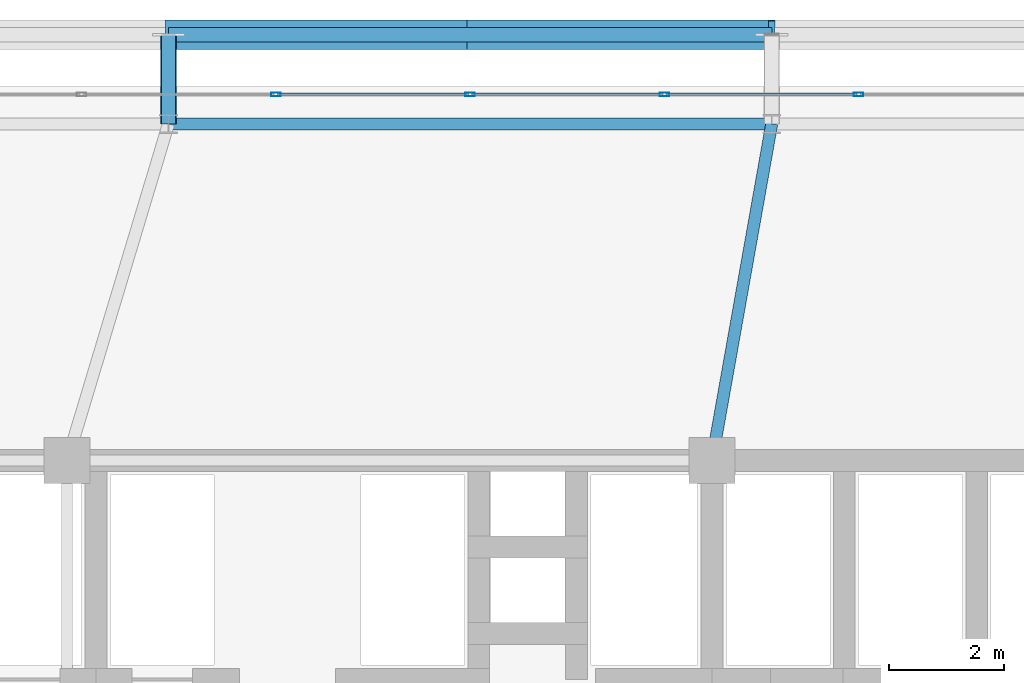
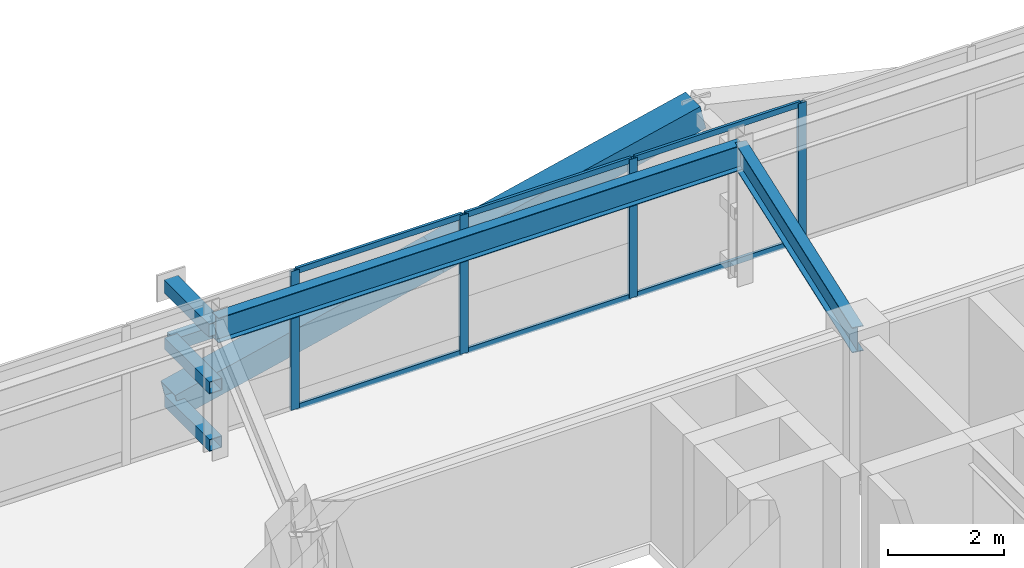
# One storey, part 37 of 58: 16 members, 2 beams, 1 element without a shape of its own.
"""IFC4 building model written with IfcOpenShell, lengths in metres."""

from ifc_helpers import new_model, si_unit, direction, frame, origin, origin_2d, place, context, subcontext, project, spatial, hollow_rectangle, i_section, extrude, source, transform, mapped, material, layer, layer_set, material_profile, profile_set, type_object, element, aggregate, save


model = new_model("IFC4")

# Units and contexts
model_context = context("Model", 3, precision=1e-05, world=origin(), true_north=direction((0.0, 1.0)))
body_context = subcontext(model_context, "Body", "Model", "MODEL_VIEW")
ifc_project = project(units=[si_unit("LENGTHUNIT", "METRE"), si_unit("AREAUNIT", "SQUARE_METRE"), si_unit("VOLUMEUNIT", "CUBIC_METRE"), si_unit("PLANEANGLEUNIT", "RADIAN"), si_unit("MASSUNIT", "GRAM", prefix="KILO")], contexts=[model_context])

# Site, building, storey
site_placement = place(None, origin())
site = spatial("IfcSite", under=ifc_project, at=site_placement, CompositionType="ELEMENT")
building_placement = place(site_placement, origin())
building = spatial("IfcBuilding", under=site, at=building_placement, Name="Taldren Reach Tower", CompositionType="ELEMENT")
storey_placement = place(building_placement, frame((0.0, 0.0, 35.699951171875)))
storey = spatial("IfcBuildingStorey", under=building, at=storey_placement, Name="L10", CompositionType="ELEMENT", Elevation=35.699951171875)

# Beams
ifc_material_1 = material(Name="Steel Gr 350 (350PLUS)", Category="steel")
ifc_material_profile_1 = material_profile(ifc_material_1, i_section(OverallWidth=0.208984375, OverallDepth=0.528076171875, WebThickness=0.009521484375, FlangeThickness=0.01318359375, at=origin_2d()), Name="530UB82.0")
ifc_profile_set_1 = profile_set([ifc_material_profile_1], Name="Steel Gr 350 (350PLUS)")
beam_type_1 = type_object("IfcBeamType", Name="SP-UB530B", PredefinedType="SPANDREL", material=ifc_profile_set_1)
shared_shape_1 = source(origin(), body_context, "Body", "SweptSolid", [
    extrude(i_section(OverallWidth=0.208984375, OverallDepth=0.528076171875, WebThickness=0.009521484375, FlangeThickness=0.01318359375, at=origin_2d()), origin(), (0.0, 0.0, 1.0), 10.47998046875),
])
beam_1_placement = place(storey_placement, frame((40.239990234375, 37.85009765625, 2.666015625), z_axis=(-1.0, 0.0, 0.0), x_axis=(0.0, -1.0, 0.0)))
element("IfcBeam", 1, at=beam_1_placement, inside=storey, type_object=beam_type_1, Name="Perimeter spandrel B1 N4-N3 L10", PredefinedType="SPANDREL", context=body_context, shape_type="MappedRepresentation", body=[
    mapped(shared_shape_1, transform((0.0, 0.0, 0.0), scale=1.0)),
])
ifc_material_profile_2 = material_profile(ifc_material_1, i_section(OverallWidth=0.208984375, OverallDepth=0.532958984375, WebThickness=0.01025390625, FlangeThickness=0.015625, at=origin_2d()), Name="530UB92.4")
ifc_profile_set_2 = profile_set([ifc_material_profile_2], Name="Steel Gr 350 (350PLUS)")
beam_type_2 = type_object("IfcBeamType", Name="BM-UB530A", PredefinedType="BEAM", material=ifc_profile_set_2)
shared_shape_2 = source(origin(), body_context, "Body", "SweptSolid", [
    extrude(i_section(OverallWidth=0.208984375, OverallDepth=0.532958984375, WebThickness=0.01025390625, FlangeThickness=0.015625, at=origin_2d()), origin(), (0.0, 0.0, 1.0), 5.94189453125),
])
beam_2_placement = place(storey_placement, frame((39.199951171875, 32.0, 2.66357421875), z_axis=(0.17503687513, 0.984561878373, 0.0), x_axis=(-0.984561878373, 0.17503687513, 0.0)))
element("IfcBeam", 2, at=beam_2_placement, inside=storey, type_object=beam_type_2, Name="Primary floor girder B1-N4 L10", PredefinedType="BEAM", context=body_context, shape_type="MappedRepresentation", body=[
    mapped(shared_shape_2, transform((0.0, 0.0, 0.0), scale=1.0)),
])

# Members
ifc_material_2 = material(Name="Steel Gr 450 (C450L0)", Category="steel")
ifc_material_profile_3 = material_profile(ifc_material_2, hollow_rectangle(XDim=0.27490234375, YDim=0.27490234375, WallThickness=0.00927734375, at=origin_2d()), Name="275x275x9.3SHS")
ifc_profile_set_3 = profile_set([ifc_material_profile_3], Name="Steel Gr 450 (C450L0)")
member_type_1 = type_object("IfcMemberType", Name="MB-TIE273", PredefinedType="STRUT", material=ifc_profile_set_3)
shared_shape_3 = source(origin(), body_context, "Body", "SweptSolid", [
    extrude(hollow_rectangle(XDim=0.27490234375, YDim=0.27490234375, WallThickness=0.00927734375, at=origin_2d()), origin(), (0.0, 0.0, 1.0), 1.5498046875),
])
member_1_placement = place(storey_placement, frame((29.760009765625, 37.85009765625, 2.650146484375), z_axis=(0.0, 1.0, 0.0), x_axis=(-1.0, 0.0, 0.0)))
element("IfcMember", 3, at=member_1_placement, inside=storey, type_object=member_type_1, Name="Exoskeleton diaphragm tie strut B1-N3 L10", PredefinedType="STRUT", context=body_context, shape_type="MappedRepresentation", body=[
    mapped(shared_shape_3, transform((0.0, 0.0, 0.0), scale=1.0)),
])
ifc_material_profile_4 = material_profile(ifc_material_2, hollow_rectangle(XDim=0.510009765625, YDim=0.510009765625, WallThickness=0.02001953125, at=origin_2d()), Name="510x510x20.0SHS")
ifc_profile_set_4 = profile_set([ifc_material_profile_4], Name="Steel Gr 450 (C450L0)")
member_type_2 = type_object("IfcMemberType", Name="MB-EXO508", PredefinedType="BRACE", material=ifc_profile_set_4)
shared_shape_4 = source(origin(), body_context, "Body", "SweptSolid", [
    extrude(hollow_rectangle(XDim=0.510009765625, YDim=0.510009765625, WallThickness=0.02001953125, at=origin_2d()), origin(), (0.0, 0.0, 1.0), 5.37890625),
])
for number, where, z_axis, x_axis, name in (
    (4, (29.760009765625, 39.39990234375, 0.219970703125), (0.97415197996, 0.0, 0.225893603143), (0.0, 1.0, 0.0), "Exoskeleton Diagrid Brace B1-N3 L10"),
    (5, (35.0, 39.39990234375, 1.43505859375), (0.97415197996, 0.0, 0.225893603143), (0.0, 1.0, 0.0), "Exoskeleton Diagrid Brace B1-N3 L10"),
):
    element("IfcMember", number, at=place(storey_placement, frame(where, z_axis=z_axis, x_axis=x_axis)), inside=storey, type_object=member_type_2, Name=name, PredefinedType="BRACE", context=body_context, shape_type="MappedRepresentation", body=[
        mapped(shared_shape_4, transform((0.0, 0.0, 0.0), scale=1.0)),
    ])
ifc_material_3 = material(Name="Steel Gr 350 (C350L0)", Category="steel")
ifc_material_profile_5 = material_profile(ifc_material_3, hollow_rectangle(XDim=0.25, YDim=0.25, WallThickness=0.010009765625, at=origin_2d()), Name="250x250x10.0SHS")
ifc_profile_set_5 = profile_set([ifc_material_profile_5], Name="Steel Gr 350 (C350L0)")
member_type_3 = type_object("IfcMemberType", Name="MB-POST250", PredefinedType="POST", material=ifc_profile_set_5)
shared_shape_5 = source(origin(), body_context, "Body", "SweptSolid", [
    extrude(hollow_rectangle(XDim=0.25, YDim=0.25, WallThickness=0.010009765625, at=origin_2d()), origin(), (0.0, 0.0, 1.0), 10.47998046875),
])
member_2_placement = place(storey_placement, frame((29.760009765625, 39.39990234375, 1.43505859375), z_axis=(1.0, 0.0, 0.0), x_axis=(0.0, 1.0, 0.0)))
element("IfcMember", 6, at=member_2_placement, inside=storey, type_object=member_type_3, Name="Exoskeleton mid-height ring chord B1-N3 L10", PredefinedType="POST", context=body_context, shape_type="MappedRepresentation", body=[
    mapped(shared_shape_5, transform((0.0, 0.0, 0.0), scale=1.0)),
])
shared_shape_6 = source(origin(), body_context, "Body", "SweptSolid", [
    extrude(hollow_rectangle(XDim=0.25, YDim=0.25, WallThickness=0.010009765625, at=origin_2d()), origin(), (0.0, 0.0, 1.0), 1.5498046875),
])
for number, where, z_axis, x_axis, name in (
    (7, (29.760009765625, 37.85009765625, 0.219970703125), (0.0, 1.0, 0.0), (-1.0, 0.0, 0.0), "Exoskeleton base diaphragm tie strut B1-N3 L10"),
    (8, (29.760009765625, 37.85009765625, 1.43505859375), (0.0, 1.0, 0.0), (-1.0, 0.0, 0.0), "Exoskeleton mid-tier diaphragm tie B1-N3 L10"),
):
    element("IfcMember", number, at=place(storey_placement, frame(where, z_axis=z_axis, x_axis=x_axis)), inside=storey, type_object=member_type_3, Name=name, PredefinedType="POST", context=body_context, shape_type="MappedRepresentation", body=[
        mapped(shared_shape_6, transform((0.0, 0.0, 0.0), scale=1.0)),
    ])

# Curtain wall, members
ifc_material_4 = material(Name="Aluminium and Low-E Glass Unitised System", Category="aluminium")
ifc_layer = layer(ifc_material_4, 0.159912109375)
ifc_layer_set = layer_set([ifc_layer], Name="Aluminium and Low-E Glass Unitised System")
curtain_wall_type = type_object("IfcCurtainWallType", Name="CW-SYS-2", PredefinedType="NOTDEFINED", material=ifc_layer_set)
curtain_wall_placement = place(storey_placement, origin())
curtain_wall = element("IfcCurtainWall", 9, at=curtain_wall_placement, inside=storey, type_object=curtain_wall_type, Name="Unitised curtain wall CW-L10-N", PredefinedType="NOTDEFINED")
ifc_material_5 = material(Name="Anodised Aluminium 6063-T6", Category="aluminium")
ifc_material_profile_6 = material_profile(ifc_material_5, hollow_rectangle(XDim=0.06494140625, YDim=0.1650390625, WallThickness=0.00390625, at=origin_2d()), Name="ALU-165x65x4RHS")
ifc_profile_set_6 = profile_set([ifc_material_profile_6], Name="Anodised Aluminium 6063-T6")
member_type_4 = type_object("IfcMemberType", Name="CW-MUL-165", PredefinedType="MULLION", material=ifc_profile_set_6)
shared_shape_7 = source(origin(), body_context, "Body", "SweptSolid", [
    extrude(hollow_rectangle(XDim=0.06494140625, YDim=0.1650390625, WallThickness=0.00390625, at=origin_2d()), origin(), (0.0, 0.0, 1.0), 2.929931640625),
])
member_3_placement = place(storey_placement, frame((41.75, 38.360107421875, 0.0), z_axis=(0.0, 0.0, 1.0), x_axis=(0.0, -1.0, 0.0)))
member_3 = element("IfcMember", 10, at=member_3_placement, type_object=member_type_4, Name="CW-2 mullion 7", PredefinedType="MULLION", context=body_context, shape_type="MappedRepresentation", body=[
    mapped(shared_shape_7, transform((0.0, 0.0, 0.0), scale=1.0)),
])
member_4_placement = place(storey_placement, frame((38.375, 38.360107421875, 0.0), z_axis=(0.0, 0.0, 1.0), x_axis=(0.0, -1.0, 0.0)))
member_4 = element("IfcMember", 11, at=member_4_placement, type_object=member_type_4, Name="CW-2 mullion 8", PredefinedType="MULLION", context=body_context, shape_type="MappedRepresentation", body=[
    mapped(shared_shape_7, transform((0.0, 0.0, 0.0), scale=1.0)),
])
member_5_placement = place(storey_placement, frame((35.0, 38.360107421875, 0.0), z_axis=(0.0, 0.0, 1.0), x_axis=(0.0, -1.0, 0.0)))
member_5 = element("IfcMember", 12, at=member_5_placement, type_object=member_type_4, Name="CW-2 mullion 9", PredefinedType="MULLION", context=body_context, shape_type="MappedRepresentation", body=[
    mapped(shared_shape_7, transform((0.0, 0.0, 0.0), scale=1.0)),
])
member_6_placement = place(storey_placement, frame((31.625, 38.360107421875, 0.0), z_axis=(0.0, 0.0, 1.0), x_axis=(0.0, -1.0, 0.0)))
member_6 = element("IfcMember", 13, at=member_6_placement, type_object=member_type_4, Name="CW-2 mullion 10", PredefinedType="MULLION", context=body_context, shape_type="MappedRepresentation", body=[
    mapped(shared_shape_7, transform((0.0, 0.0, 0.0), scale=1.0)),
])
ifc_material_profile_7 = material_profile(ifc_material_5, hollow_rectangle(XDim=0.054931640625, YDim=0.1201171875, WallThickness=0.0029296875, at=origin_2d()), Name="ALU-120x55x3RHS")
ifc_profile_set_7 = profile_set([ifc_material_profile_7], Name="Anodised Aluminium 6063-T6")
member_type_5 = type_object("IfcMemberType", Name="CW-TRN-135", PredefinedType="USERDEFINED", material=ifc_profile_set_7)
shared_shape_8 = source(origin(), body_context, "Body", "SweptSolid", [
    extrude(hollow_rectangle(XDim=0.054931640625, YDim=0.1201171875, WallThickness=0.0029296875, at=origin_2d()), origin(), (0.0, 0.0, 1.0), 3.31005859375),
])
member_7_placement = place(storey_placement, frame((41.717529296875, 38.360107421875, 0.027587890625), z_axis=(-1.0, 0.0, 0.0), x_axis=(0.0, -1.0, 0.0)))
member_7 = element("IfcMember", 14, at=member_7_placement, type_object=member_type_5, Name="CW-2 transom 7.1", ObjectType="TRANSOM", PredefinedType="USERDEFINED", context=body_context, shape_type="MappedRepresentation", body=[
    mapped(shared_shape_8, transform((0.0, 0.0, 0.0), scale=1.0)),
])
member_8_placement = place(storey_placement, frame((41.717529296875, 38.360107421875, 2.902587890625), z_axis=(-1.0, 0.0, 0.0), x_axis=(0.0, -1.0, 0.0)))
member_8 = element("IfcMember", 15, at=member_8_placement, type_object=member_type_5, Name="CW-2 transom 7.2", ObjectType="TRANSOM", PredefinedType="USERDEFINED", context=body_context, shape_type="MappedRepresentation", body=[
    mapped(shared_shape_8, transform((0.0, 0.0, 0.0), scale=1.0)),
])
member_9_placement = place(storey_placement, frame((38.342529296875, 38.360107421875, 0.027587890625), z_axis=(-1.0, 0.0, 0.0), x_axis=(0.0, -1.0, 0.0)))
member_9 = element("IfcMember", 16, at=member_9_placement, type_object=member_type_5, Name="CW-2 transom 8.1", ObjectType="TRANSOM", PredefinedType="USERDEFINED", context=body_context, shape_type="MappedRepresentation", body=[
    mapped(shared_shape_8, transform((0.0, 0.0, 0.0), scale=1.0)),
])
member_10_placement = place(storey_placement, frame((38.342529296875, 38.360107421875, 2.902587890625), z_axis=(-1.0, 0.0, 0.0), x_axis=(0.0, -1.0, 0.0)))
member_10 = element("IfcMember", 17, at=member_10_placement, type_object=member_type_5, Name="CW-2 transom 8.2", ObjectType="TRANSOM", PredefinedType="USERDEFINED", context=body_context, shape_type="MappedRepresentation", body=[
    mapped(shared_shape_8, transform((0.0, 0.0, 0.0), scale=1.0)),
])
member_11_placement = place(storey_placement, frame((34.967529296875, 38.360107421875, 0.027587890625), z_axis=(-1.0, 0.0, 0.0), x_axis=(0.0, -1.0, 0.0)))
member_11 = element("IfcMember", 18, at=member_11_placement, type_object=member_type_5, Name="CW-2 transom 9.1", ObjectType="TRANSOM", PredefinedType="USERDEFINED", context=body_context, shape_type="MappedRepresentation", body=[
    mapped(shared_shape_8, transform((0.0, 0.0, 0.0), scale=1.0)),
])
member_12_placement = place(storey_placement, frame((34.967529296875, 38.360107421875, 2.902587890625), z_axis=(-1.0, 0.0, 0.0), x_axis=(0.0, -1.0, 0.0)))
member_12 = element("IfcMember", 19, at=member_12_placement, type_object=member_type_5, Name="CW-2 transom 9.2", ObjectType="TRANSOM", PredefinedType="USERDEFINED", context=body_context, shape_type="MappedRepresentation", body=[
    mapped(shared_shape_8, transform((0.0, 0.0, 0.0), scale=1.0)),
])
aggregate(curtain_wall, [member_3, member_4, member_5, member_6, member_7, member_8, member_9, member_10, member_11, member_12])

save(model, "model.ifc")
